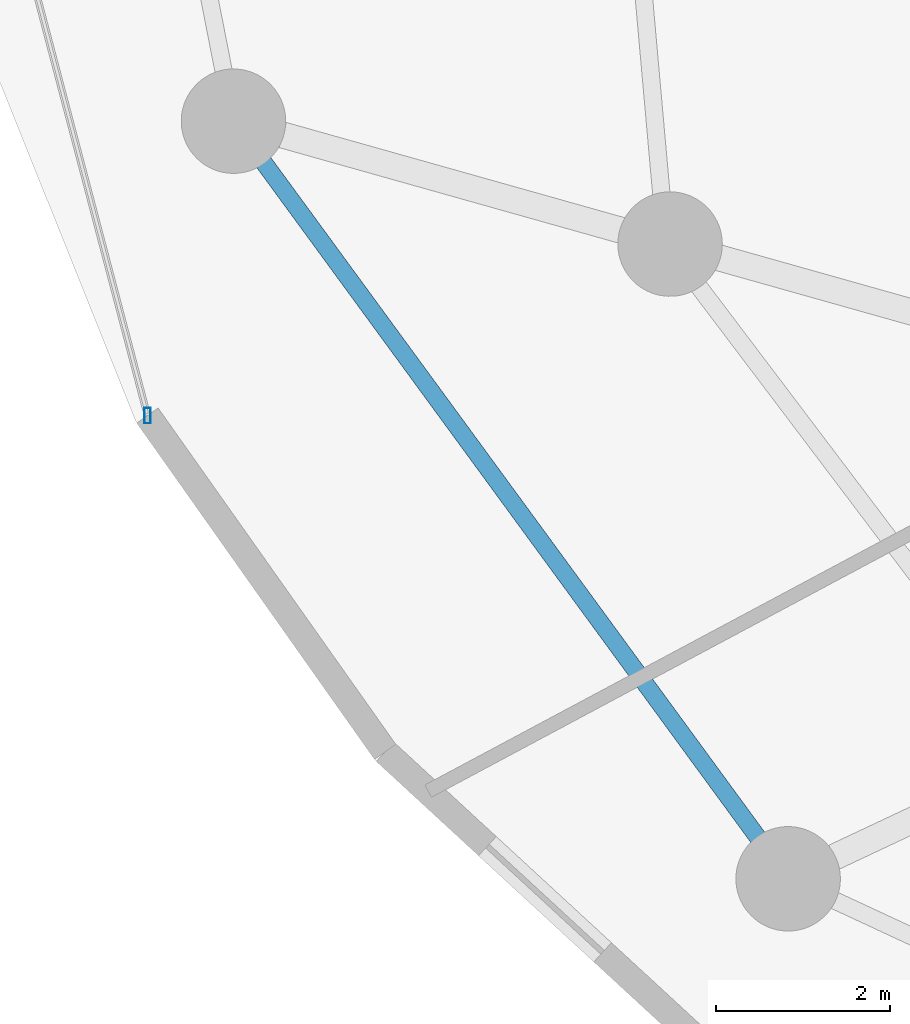
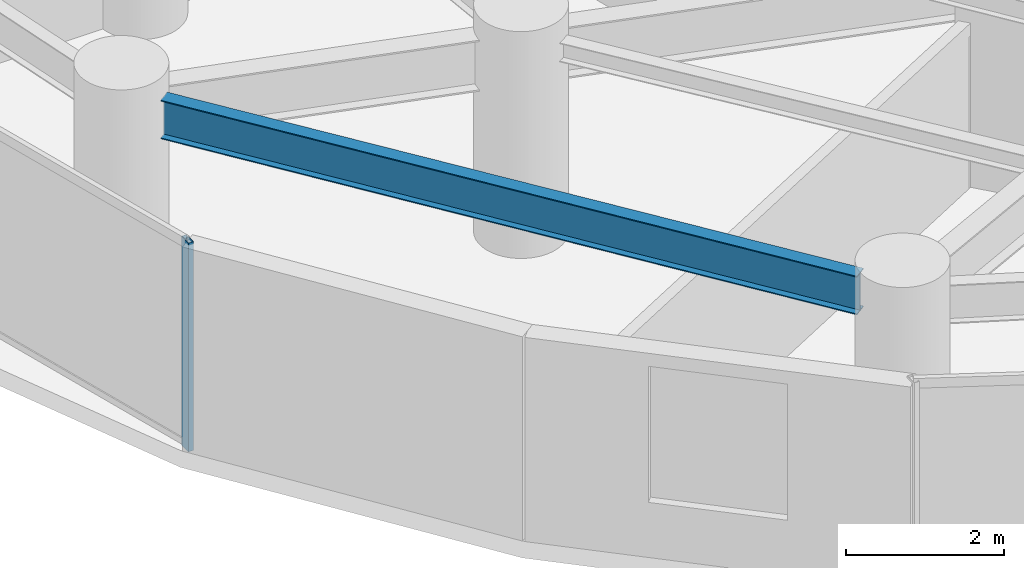
# One storey, part 3 of 34: 1 beam, 1 member, 1 element without a shape of its own.
"""IFC4 building model written with IfcOpenShell, lengths in metres."""

from ifc_helpers import new_model, si_unit, direction, frame, origin, origin_2d, place, context, subcontext, project, spatial, hollow_rectangle, i_section, extrude, material, material_profile, profile_set, type_object, element, aggregate, save


model = new_model("IFC4")

# Units and contexts
model_context = context("Model", 3, precision=1e-05, world=origin(), true_north=direction((0.0, 1.0)))
body_context = subcontext(model_context, "Body", "Model", "MODEL_VIEW")
ifc_project = project(units=[si_unit("LENGTHUNIT", "METRE"), si_unit("AREAUNIT", "SQUARE_METRE"), si_unit("VOLUMEUNIT", "CUBIC_METRE"), si_unit("PLANEANGLEUNIT", "RADIAN"), si_unit("MASSUNIT", "GRAM", prefix="KILO")], contexts=[model_context])

# Site, building, storey
site_placement = place(None, origin())
site = spatial("IfcSite", under=ifc_project, at=site_placement, CompositionType="ELEMENT")
building_placement = place(site_placement, origin())
building = spatial("IfcBuilding", under=site, at=building_placement, Name="Vorneva Point Tower", CompositionType="ELEMENT")
storey_placement = place(building_placement, frame((0.0, 0.0, 66.0)))
storey = spatial("IfcBuildingStorey", under=building, at=storey_placement, Name="L17", CompositionType="ELEMENT", Elevation=66.0)

# Beam
ifc_material_1 = material(Name="Steel S355", Category="steel")
ifc_material_profile_1 = material_profile(ifc_material_1, i_section(OverallWidth=0.198974609375, OverallDepth=0.595947265625, WebThickness=0.010009765625, FlangeThickness=0.014892578125, at=origin_2d()), Name="60B1")
ifc_profile_set_1 = profile_set([ifc_material_profile_1], Name="Steel S355")
beam_type = type_object("IfcBeamType", Name="BM-SPN-60B1", PredefinedType="SPANDREL", material=ifc_profile_set_1)
beam_placement = place(storey_placement, frame((12.03369140625, 20.357666015625, 2.85205078125), z_axis=(0.590713179556, -0.806881614302, 0.0), x_axis=(0.806881614302, 0.590713179556, 0.0)))
element("IfcBeam", 1, at=beam_placement, inside=storey, type_object=beam_type, Name="L17 Perimeter Spandrel Ring Beam 10", PredefinedType="SPANDREL", context=body_context, shape_type="SweptSolid", body=[
    extrude(i_section(OverallWidth=0.198974609375, OverallDepth=0.595947265625, WebThickness=0.010009765625, FlangeThickness=0.014892578125, at=origin_2d()), origin(), (0.0, 0.0, 1.0), 9.619140625),
])

# Curtain wall, member
ifc_material_2 = material(Name="Pale anodised aluminium", Category="aluminium")
curtain_wall_type = type_object("IfcCurtainWallType", Name="CW-HTL-SYS", PredefinedType="NOTDEFINED", material=ifc_material_2)
curtain_wall_placement = place(storey_placement, origin())
curtain_wall = element("IfcCurtainWall", 2, at=curtain_wall_placement, inside=storey, type_object=curtain_wall_type, Name="L17 Unitised Curtain Wall CW-L17-R03", PredefinedType="NOTDEFINED")
ifc_material_profile_2 = material_profile(ifc_material_2, hollow_rectangle(XDim=0.074951171875, YDim=0.179931640625, WallThickness=0.00390625, at=origin_2d()), Name="AL-MUL 180x75x4")
ifc_profile_set_2 = profile_set([ifc_material_profile_2], Name="Pale anodised aluminium")
member_type = type_object("IfcMemberType", Name="CW-MUL-180", PredefinedType="MULLION", material=ifc_profile_set_2)
member_placement = place(storey_placement, frame((10.699462890625, 17.447021484375, -0.0400390625), z_axis=(0.0, 0.0, 1.0), x_axis=(1.0, 0.0, 0.0)))
member = element("IfcMember", 3, at=member_placement, type_object=member_type, Name="CW-L17-R03 Mullion 02", PredefinedType="MULLION", context=body_context, shape_type="SweptSolid", body=[
    extrude(hollow_rectangle(XDim=0.074951171875, YDim=0.179931640625, WallThickness=0.00390625, at=origin_2d()), origin(), (0.0, 0.0, 1.0), 3.219970703125),
])
aggregate(curtain_wall, [member])

save(model, "model.ifc")
